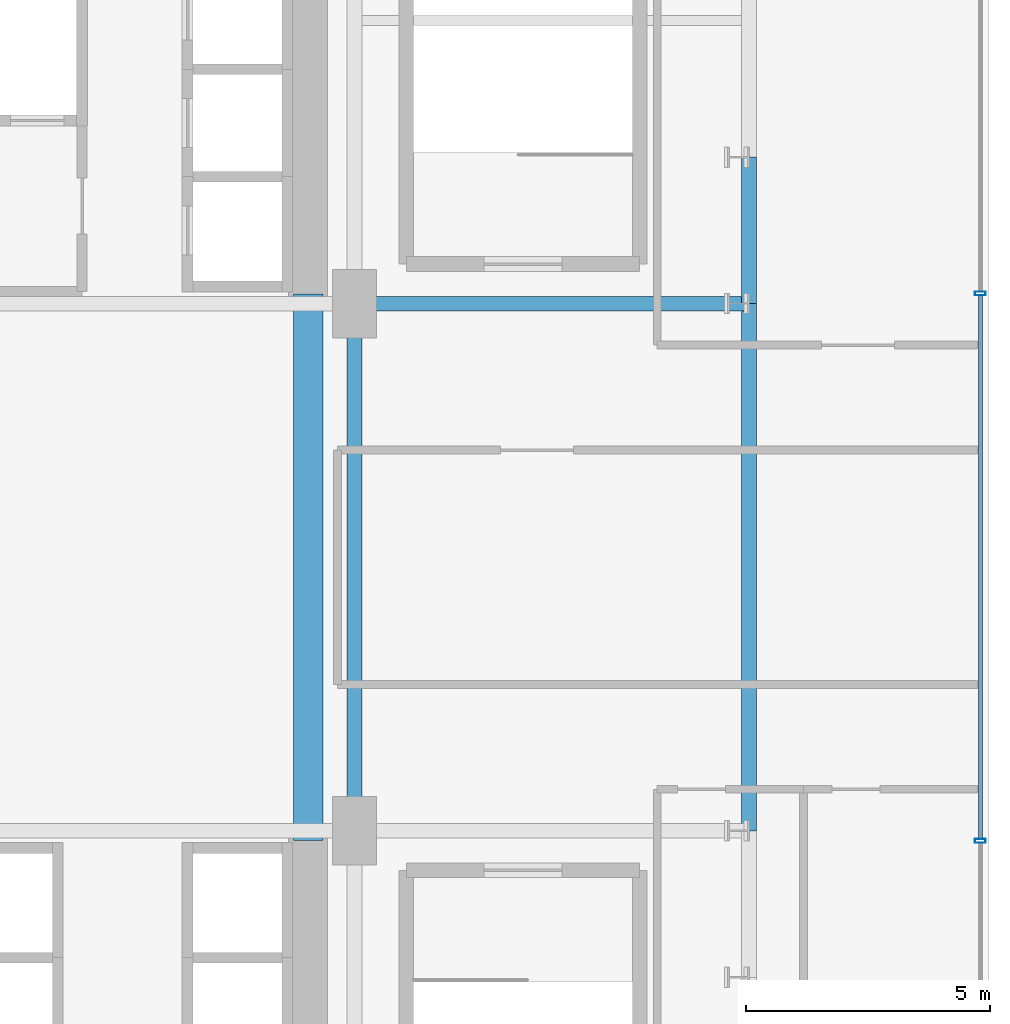
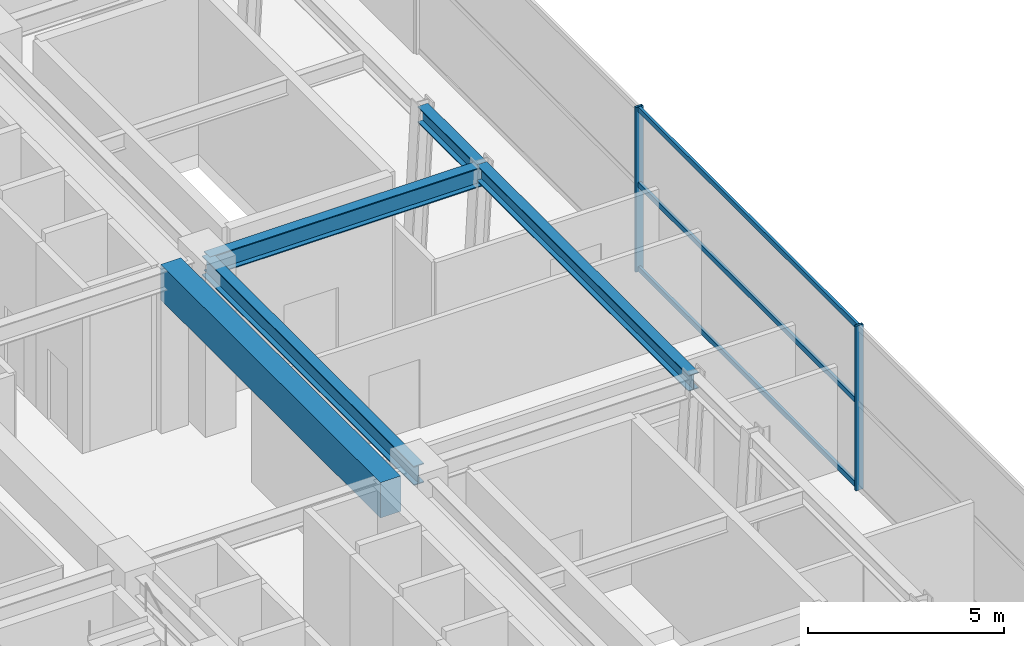
# One storey, part 11 of 29: 5 beams, 5 members, 1 element without a shape of its own.
"""IFC4 building model written with IfcOpenShell, lengths in metres."""

from ifc_helpers import new_model, si_unit, direction, frame, origin, origin_2d, place, context, subcontext, project, spatial, rectangle, hollow_rectangle, i_section, extrude, source, transform, mapped, material, material_profile, profile_set, type_object, element, aggregate, save


model = new_model("IFC4")

# Units and contexts
model_context = context("Model", 3, precision=1e-05, world=origin(), true_north=direction((0.0, 1.0)))
body_context = subcontext(model_context, "Body", "Model", "MODEL_VIEW")
ifc_project = project(units=[si_unit("LENGTHUNIT", "METRE"), si_unit("AREAUNIT", "SQUARE_METRE"), si_unit("VOLUMEUNIT", "CUBIC_METRE"), si_unit("PLANEANGLEUNIT", "RADIAN"), si_unit("MASSUNIT", "GRAM", prefix="KILO")], contexts=[model_context])

# Site, building, storey
site_placement = place(None, origin())
site = spatial("IfcSite", under=ifc_project, at=site_placement, CompositionType="ELEMENT")
building_placement = place(site_placement, origin())
building = spatial("IfcBuilding", under=site, at=building_placement, Name="Nahalor Promenade Grand Hotel", CompositionType="ELEMENT")
storey_placement = place(building_placement, frame((0.0, 0.0, 27.0)))
storey = spatial("IfcBuildingStorey", under=building, at=storey_placement, Name="L05", CompositionType="ELEMENT", Elevation=27.0)

# Beams
ifc_material_1 = material(Name="Concrete B-60 (C50/60)", Category="concrete")
ifc_material_profile_1 = material_profile(ifc_material_1, rectangle(XDim=0.6, YDim=1.1, at=origin_2d()), Name="RC 600x1100")
ifc_profile_set_1 = profile_set([ifc_material_profile_1], Name="Concrete B-60 (C50/60)")
beam_type_1 = type_object("IfcBeamType", Name="Beam-Lintel-RC1100", PredefinedType="LINTEL", material=ifc_profile_set_1)
shared_shape_1 = source(origin(), body_context, "Body", "SweptSolid", [
    extrude(rectangle(XDim=0.6, YDim=1.1, at=origin_2d()), origin(), (0.0, 0.0, 1.0), 11.2001953125),
])
beam_1_placement = place(storey_placement, frame((16.050048828125, -5.60009765625, 4.570068359375), z_axis=(0.0, 1.0, 0.0), x_axis=(-1.0, 0.0, 0.0)))
element("IfcBeam", 1, at=beam_1_placement, inside=storey, type_object=beam_type_1, Name="BM-L05-LINT-E", PredefinedType="LINTEL", context=body_context, shape_type="MappedRepresentation", body=[
    mapped(shared_shape_1, transform((0.0, 0.0, 0.0), scale=1.0)),
])
ifc_material_2 = material(Name="Steel S355JR", Category="steel")
ifc_material_profile_2 = material_profile(ifc_material_2, i_section(OverallWidth=0.3, OverallDepth=0.6, WebThickness=0.0155, FlangeThickness=0.03, at=origin_2d()), Name="HEB 600")
ifc_profile_set_2 = profile_set([ifc_material_profile_2], Name="Steel S355JR")
beam_type_2 = type_object("IfcBeamType", Name="Beam-Girder-HEB600", PredefinedType="BEAM", material=ifc_profile_set_2)
shared_shape_2 = source(origin(), body_context, "Body", "SweptSolid", [
    extrude(i_section(OverallWidth=0.3, OverallDepth=0.6, WebThickness=0.0155, FlangeThickness=0.03, at=origin_2d()), origin(), (0.0, 0.0, 1.0), 10.7998046875),
])
beam_2_placement = place(storey_placement, frame((17.0, -5.39990234375, 4.820068359375), z_axis=(0.0, 1.0, 0.0), x_axis=(-1.0, 0.0, 0.0)))
element("IfcBeam", 2, at=beam_2_placement, inside=storey, type_object=beam_type_2, Name="BM-L05-GY-5-2", PredefinedType="BEAM", context=body_context, shape_type="MappedRepresentation", body=[
    mapped(shared_shape_2, transform((0.0, 0.0, 0.0), scale=1.0)),
])
ifc_material_profile_3 = material_profile(ifc_material_2, i_section(OverallWidth=0.3, OverallDepth=0.5, WebThickness=0.0145, FlangeThickness=0.028, at=origin_2d()), Name="HEB 500")
ifc_profile_set_3 = profile_set([ifc_material_profile_3], Name="Steel S355JR")
beam_type_3 = type_object("IfcBeamType", Name="Beam-Spandrel-HEB500", PredefinedType="SPANDREL", material=ifc_profile_set_3)
shared_shape_3 = source(origin(), body_context, "Body", "SweptSolid", [
    extrude(i_section(OverallWidth=0.3, OverallDepth=0.5, WebThickness=0.0145, FlangeThickness=0.028, at=origin_2d()), origin(), (0.0, 0.0, 1.0), 3.0),
])
beam_3_placement = place(storey_placement, frame((25.080078125, 5.39990234375, 4.8701171875), z_axis=(0.0, 1.0, 0.0), x_axis=(-1.0, 0.0, 0.0)))
element("IfcBeam", 3, at=beam_3_placement, inside=storey, type_object=beam_type_3, Name="BM-L05-SP-E-3", PredefinedType="SPANDREL", context=body_context, shape_type="MappedRepresentation", body=[
    mapped(shared_shape_3, transform((0.0, 0.0, 0.0), scale=1.0)),
])
shared_shape_4 = source(origin(), body_context, "Body", "SweptSolid", [
    extrude(i_section(OverallWidth=0.3, OverallDepth=0.5, WebThickness=0.0145, FlangeThickness=0.028, at=origin_2d()), origin(), (0.0, 0.0, 1.0), 10.7998046875),
])
beam_4_placement = place(storey_placement, frame((25.080078125, -5.39990234375, 4.8701171875), z_axis=(0.0, 1.0, 0.0), x_axis=(-1.0, 0.0, 0.0)))
element("IfcBeam", 4, at=beam_4_placement, inside=storey, type_object=beam_type_3, Name="BM-L05-SP-E-2", PredefinedType="SPANDREL", context=body_context, shape_type="MappedRepresentation", body=[
    mapped(shared_shape_4, transform((0.0, 0.0, 0.0), scale=1.0)),
])
shared_shape_5 = source(origin(), body_context, "Body", "SweptSolid", [
    extrude(i_section(OverallWidth=0.3, OverallDepth=0.6, WebThickness=0.0155, FlangeThickness=0.03, at=origin_2d()), origin(), (0.0, 0.0, 1.0), 8.080078125),
])
beam_5_placement = place(storey_placement, frame((17.0, 5.39990234375, 4.820068359375), z_axis=(1.0, 0.0, 0.0), x_axis=(0.0, 1.0, 0.0)))
element("IfcBeam", 5, at=beam_5_placement, inside=storey, type_object=beam_type_2, Name="BM-L05-GX-2-6", PredefinedType="BEAM", context=body_context, shape_type="MappedRepresentation", body=[
    mapped(shared_shape_5, transform((0.0, 0.0, 0.0), scale=1.0)),
])

# Curtain wall, members
ifc_material_3 = material(Name="Anodised Bronze Aluminium EN AW-6063 T6", Category="aluminium")
curtain_wall_type = type_object("IfcCurtainWallType", Name="CW1 Waterfront Podium Bronze Arcade Curtain Wall", PredefinedType="USERDEFINED", material=ifc_material_3)
curtain_wall_placement = place(storey_placement, origin())
curtain_wall = element("IfcCurtainWall", 6, at=curtain_wall_placement, inside=storey, type_object=curtain_wall_type, Name="L05 Curtain Wall CW-L05-E", ObjectType="UNITISED_CURTAIN_WALL", PredefinedType="USERDEFINED")
ifc_material_profile_4 = material_profile(ifc_material_3, hollow_rectangle(XDim=0.08, YDim=0.22, WallThickness=0.005, at=origin_2d()), Name="CWM 80x220x5")
ifc_profile_set_4 = profile_set([ifc_material_profile_4], Name="Anodised Bronze Aluminium EN AW-6063 T6")
member_type_1 = type_object("IfcMemberType", Name="CWM1 Podium Bronze Mullion 80x220", PredefinedType="MULLION", material=ifc_profile_set_4)
shared_shape_6 = source(origin(), body_context, "Body", "SweptSolid", [
    extrude(hollow_rectangle(XDim=0.08, YDim=0.22, WallThickness=0.005, at=origin_2d()), origin(), (0.0, 0.0, 1.0), 5.1201171875),
])
member_1_placement = place(storey_placement, frame((29.820068359375, -5.606689453125, 0.0), z_axis=(0.0, 0.0, 1.0), x_axis=(0.0, 1.0, 0.0)))
member_1 = element("IfcMember", 7, at=member_1_placement, type_object=member_type_1, Name="CW-L05-E Mullion 1", PredefinedType="MULLION", context=body_context, shape_type="MappedRepresentation", body=[
    mapped(shared_shape_6, transform((0.0, 0.0, 0.0), scale=1.0)),
])
member_2_placement = place(storey_placement, frame((29.820068359375, 5.606689453125, 0.0), z_axis=(0.0, 0.0, 1.0), x_axis=(0.0, 1.0, 0.0)))
member_2 = element("IfcMember", 8, at=member_2_placement, type_object=member_type_1, Name="CW-L05-E Mullion 2", PredefinedType="MULLION", context=body_context, shape_type="MappedRepresentation", body=[
    mapped(shared_shape_6, transform((0.0, 0.0, 0.0), scale=1.0)),
])
ifc_material_profile_5 = material_profile(ifc_material_3, hollow_rectangle(XDim=0.08, YDim=0.16, WallThickness=0.004, at=origin_2d()), Name="CWT 80x160x4")
ifc_profile_set_5 = profile_set([ifc_material_profile_5], Name="Anodised Bronze Aluminium EN AW-6063 T6")
member_type_2 = type_object("IfcMemberType", Name="CWT1 Podium Bronze Transom 80x160", PredefinedType="USERDEFINED", material=ifc_profile_set_5)
shared_shape_7 = source(origin(), body_context, "Body", "SweptSolid", [
    extrude(hollow_rectangle(XDim=0.08, YDim=0.16, WallThickness=0.004, at=origin_2d()), origin(), (0.0, 0.0, 1.0), 11.13330078125),
])
member_3_placement = place(storey_placement, frame((29.820068359375, -5.566650390625, 0.080078125), z_axis=(0.0, 1.0, 0.0), x_axis=(-1.0, 0.0, 0.0)))
member_3 = element("IfcMember", 9, at=member_3_placement, type_object=member_type_2, Name="CW-L05-E Transom 1-0", ObjectType="TRANSOM", PredefinedType="USERDEFINED", context=body_context, shape_type="MappedRepresentation", body=[
    mapped(shared_shape_7, transform((0.0, 0.0, 0.0), scale=1.0)),
])
member_4_placement = place(storey_placement, frame((29.820068359375, -5.566650390625, 2.699951171875), z_axis=(0.0, 1.0, 0.0), x_axis=(-1.0, 0.0, 0.0)))
member_4 = element("IfcMember", 10, at=member_4_placement, type_object=member_type_2, Name="CW-L05-E Transom 1-1", ObjectType="TRANSOM", PredefinedType="USERDEFINED", context=body_context, shape_type="MappedRepresentation", body=[
    mapped(shared_shape_7, transform((0.0, 0.0, 0.0), scale=1.0)),
])
member_5_placement = place(storey_placement, frame((29.820068359375, -5.566650390625, 5.0400390625), z_axis=(0.0, 1.0, 0.0), x_axis=(-1.0, 0.0, 0.0)))
member_5 = element("IfcMember", 11, at=member_5_placement, type_object=member_type_2, Name="CW-L05-E Transom 1-2", ObjectType="TRANSOM", PredefinedType="USERDEFINED", context=body_context, shape_type="MappedRepresentation", body=[
    mapped(shared_shape_7, transform((0.0, 0.0, 0.0), scale=1.0)),
])
aggregate(curtain_wall, [member_1, member_2, member_3, member_4, member_5])

save(model, "model.ifc")
